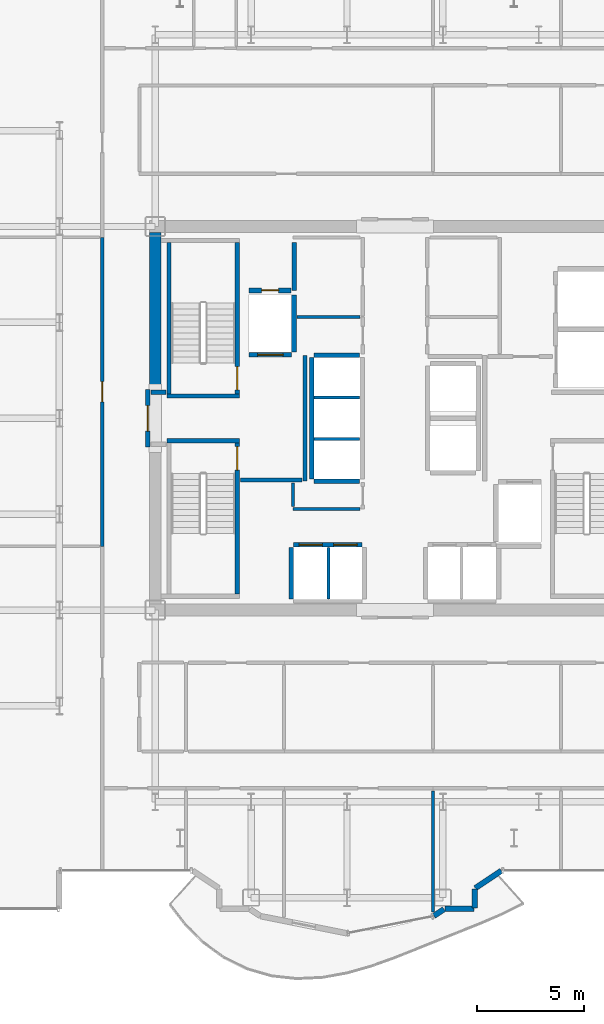
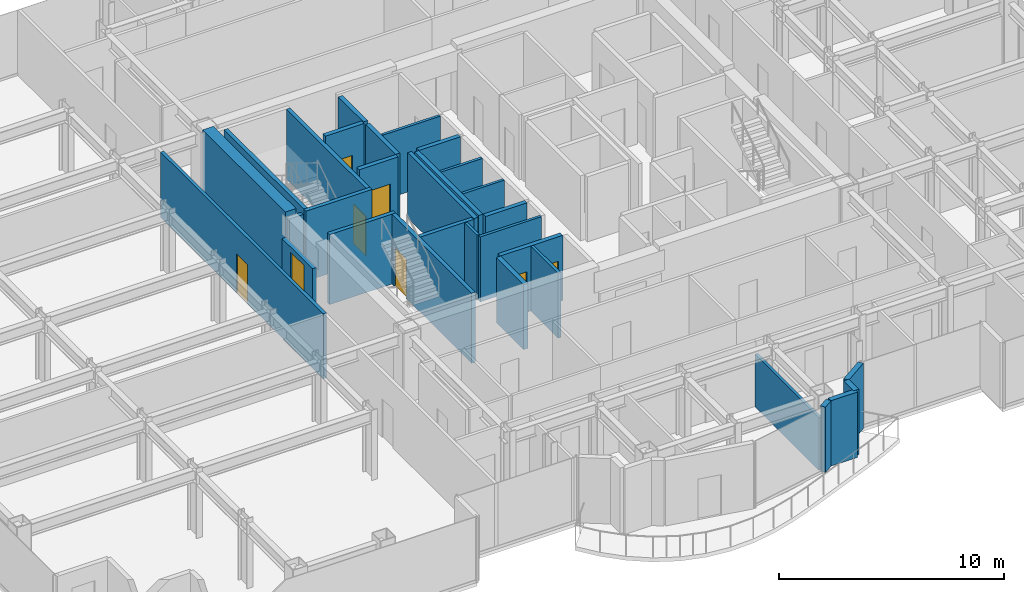
# One storey, part 19 of 26: 31 walls, 8 doors, 8 openings.
"""IFC4 building model written with IfcOpenShell, lengths in metres."""

from ifc_helpers import new_model, si_unit, direction, frame, frame_2d, origin, place, context, subcontext, project, spatial, rectangle, extrude, source, transform, mapped, material, layer, layer_set, type_object, element, fill, save


model = new_model("IFC4")

# Units and contexts
model_context = context("Model", 3, precision=1e-05, world=origin(), true_north=direction((0.0, 1.0)))
body_context = subcontext(model_context, "Body", "Model", "MODEL_VIEW")
ifc_project = project(units=[si_unit("LENGTHUNIT", "METRE"), si_unit("AREAUNIT", "SQUARE_METRE"), si_unit("VOLUMEUNIT", "CUBIC_METRE"), si_unit("PLANEANGLEUNIT", "RADIAN"), si_unit("MASSUNIT", "GRAM", prefix="KILO")], contexts=[model_context])

# Site, building, storey
site_placement = place(None, origin())
site = spatial("IfcSite", under=ifc_project, at=site_placement, CompositionType="ELEMENT")
building_placement = place(site_placement, origin())
building = spatial("IfcBuilding", under=site, at=building_placement, Name="Nefas-Gora Pilgrimage Tower", CompositionType="ELEMENT")
storey_placement = place(building_placement, frame((0.0, 0.0, 171.60009765625)))
storey = spatial("IfcBuildingStorey", under=building, at=storey_placement, Name="L42", CompositionType="ELEMENT", Elevation=171.60009765625)

# Walls
ifc_material_1 = material(Name="Concrete C60/75", Category="concrete")
ifc_layer_1 = layer(ifc_material_1, 0.550048828125)
ifc_layer_set_1 = layer_set([ifc_layer_1], Name="Concrete C60/75")
wall_type_1 = type_object("IfcWallType", Name="SW-CORE-550", PredefinedType="SHEAR", material=ifc_layer_set_1)
shared_shape_1 = source(origin(), body_context, "Body", "SweptSolid", [
    extrude(rectangle(XDim=7.375, YDim=0.550048828125, at=frame_2d((3.6875, 0.0))), origin(), (0.0, 0.0, 1.0), 3.7998046875),
])
wall_1_placement = place(storey_placement, frame((-11.25, 1.35009765625, 0.0), z_axis=(0.0, 0.0, 1.0), x_axis=(0.0, 1.0, 0.0)))
element("IfcWall", 1, at=wall_1_placement, inside=storey, type_object=wall_type_1, Name="L42 Core Shear Wall W-North", PredefinedType="SHEAR", context=body_context, shape_type="MappedRepresentation", body=[
    mapped(shared_shape_1, transform((0.0, 0.0, 0.0), x_axis=(1.0, 0.0, 0.0), y_axis=(0.0, 1.0, 0.0), z_axis=(0.0, 0.0, 1.0), scale=1.0)),
])
ifc_material_2 = material(Name="Precast concrete C40/50", Category="concrete")
ifc_layer_2 = layer(ifc_material_2, 0.260009765625)
ifc_layer_set_2 = layer_set([ifc_layer_2], Name="Precast concrete C40/50")
wall_type_2 = type_object("IfcWallType", Name="EW-PORTAL-260", PredefinedType="SOLIDWALL", material=ifc_layer_set_2)
shared_shape_2 = source(origin(), body_context, "Body", "SweptSolid", [
    extrude(rectangle(XDim=1.468994140625, YDim=0.260009765625, at=frame_2d((0.734375, 0.0))), origin(), (0.0, 0.0, 1.0), 3.5498046875),
])
wall_2_placement = place(storey_placement, frame((3.773193359375, -22.0517578125, 0.0), z_axis=(0.0, 0.0, 1.0), x_axis=(0.831461760506, 0.555581983884, 0.0)))
element("IfcWall", 2, at=wall_2_placement, inside=storey, type_object=wall_type_2, Name="L42 Lobe Shoulder Precast Spandrel Pier 42", PredefinedType="SOLIDWALL", context=body_context, shape_type="MappedRepresentation", body=[
    mapped(shared_shape_2, transform((0.0, 0.0, 0.0), x_axis=(1.0, 0.0, 0.0), y_axis=(0.0, 1.0, 0.0), z_axis=(0.0, 0.0, 1.0), scale=1.0)),
])
shared_shape_3 = source(origin(), body_context, "Body", "SweptSolid", [
    extrude(rectangle(XDim=0.896728515625, YDim=0.260009765625, at=frame_2d((0.4482421875, 0.0))), origin(), (0.0, 0.0, 1.0), 3.5498046875),
])
wall_3_placement = place(storey_placement, frame((3.75, -22.991943359375, 0.0), z_axis=(0.0, 0.0, 1.0), x_axis=(0.0, 1.0, 0.0)))
element("IfcWall", 3, at=wall_3_placement, inside=storey, type_object=wall_type_2, Name="L42 Lobe Shoulder Precast Spandrel Pier 41", PredefinedType="SOLIDWALL", context=body_context, shape_type="MappedRepresentation", body=[
    mapped(shared_shape_3, transform((0.0, 0.0, 0.0), x_axis=(1.0, 0.0, 0.0), y_axis=(0.0, 1.0, 0.0), z_axis=(0.0, 0.0, 1.0), scale=1.0)),
])
shared_shape_4 = source(origin(), body_context, "Body", "SweptSolid", [
    extrude(rectangle(XDim=1.369873046875, YDim=0.260009765625, at=frame_2d((0.68505859375, 0.0))), origin(), (0.0, 0.0, 1.0), 3.5498046875),
])
wall_4_placement = place(storey_placement, frame((2.35205078125, -23.02001953125, 0.0), z_axis=(0.0, 0.0, 1.0), x_axis=(1.0, 0.0, 0.0)))
element("IfcWall", 4, at=wall_4_placement, inside=storey, type_object=wall_type_2, Name="L42 Lobe Shoulder Precast Spandrel Pier 40", PredefinedType="SOLIDWALL", context=body_context, shape_type="MappedRepresentation", body=[
    mapped(shared_shape_4, transform((0.0, 0.0, 0.0), x_axis=(1.0, 0.0, 0.0), y_axis=(0.0, 1.0, 0.0), z_axis=(0.0, 0.0, 1.0), scale=1.0)),
])
shared_shape_5 = source(origin(), body_context, "Body", "SweptSolid", [
    extrude(rectangle(XDim=0.5654296875, YDim=0.260009765625, at=frame_2d((0.28271484375, 0.0))), origin(), (0.0, 0.0, 1.0), 3.5498046875),
])
wall_5_placement = place(storey_placement, frame((1.83056640625, -23.349609375, 0.0), z_axis=(0.0, 0.0, 1.0), x_axis=(0.831651492666, 0.555297933317, 0.0)))
element("IfcWall", 5, at=wall_5_placement, inside=storey, type_object=wall_type_2, Name="L42 Lobe Shoulder Precast Spandrel Pier 39", PredefinedType="SOLIDWALL", context=body_context, shape_type="MappedRepresentation", body=[
    mapped(shared_shape_5, transform((0.0, 0.0, 0.0), x_axis=(1.0, 0.0, 0.0), y_axis=(0.0, 1.0, 0.0), z_axis=(0.0, 0.0, 1.0), scale=1.0)),
])
ifc_material_3 = material(Name="Concrete C45/55", Category="concrete")
ifc_layer_3 = layer(ifc_material_3, 0.199951171875)
ifc_layer_set_3 = layer_set([ifc_layer_3], Name="Concrete C45/55")
wall_type_3 = type_object("IfcWallType", Name="IW-STAIR-200", PredefinedType="SOLIDWALL", material=ifc_layer_set_3)
shared_shape_6 = source(origin(), body_context, "Body", "SweptSolid", [
    extrude(rectangle(XDim=3.39990234375, YDim=0.199951171875, at=frame_2d((1.699951171875, 0.0))), origin(), (0.0, 0.0, 1.0), 3.7998046875),
])
for number, where, z_axis, x_axis, name in (
    (6, (-7.300048828125, 1.050048828125, 0.0), (0.0, 0.0, 1.0), (-1.0, 0.0, 0.0), "L42 Stairwell Shear Wall ST-01-near"),
    (7, (-10.699951171875, -1.050048828125, 0.0), (0.0, 0.0, 1.0), (1.0, 0.0, 0.0), "L42 Stairwell Shear Wall ST-03-near"),
):
    element("IfcWall", number, at=place(storey_placement, frame(where, z_axis=z_axis, x_axis=x_axis)), inside=storey, type_object=wall_type_3, Name=name, PredefinedType="SOLIDWALL", context=body_context, shape_type="MappedRepresentation", body=[
        mapped(shared_shape_6, transform((0.0, 0.0, 0.0), x_axis=(1.0, 0.0, 0.0), y_axis=(0.0, 1.0, 0.0), z_axis=(0.0, 0.0, 1.0), scale=1.0)),
    ])

# Wall, opening, door
shared_shape_7 = source(origin(), body_context, "Body", "SweptSolid", [
    extrude(rectangle(XDim=7.10009765625, YDim=0.199951171875, at=frame_2d((3.550048828125, 0.0))), origin(), (0.0, 0.0, 1.0), 3.7998046875),
])
wall_6_placement = place(storey_placement, frame((-7.39990234375, 1.14990234375, 0.0), z_axis=(0.0, 0.0, 1.0), x_axis=(0.0, 1.0, 0.0)))
wall_6 = element("IfcWall", 8, at=wall_6_placement, inside=storey, type_object=wall_type_3, Name="L42 Stairwell Shear Wall ST-01-left", PredefinedType="SOLIDWALL", context=body_context, shape_type="MappedRepresentation", body=[
    mapped(shared_shape_7, transform((0.0, 0.0, 0.0), x_axis=(1.0, 0.0, 0.0), y_axis=(0.0, 1.0, 0.0), z_axis=(0.0, 0.0, 1.0), scale=1.0)),
])
opening_1_placement = place(wall_6_placement, frame((0.179931640625, 0.0, 0.0)))
opening_1 = element("IfcOpeningElement", 9, at=opening_1_placement, cuts=wall_6, Name="Opening ID-ST1", PredefinedType="OPENING", context=body_context, shape_type="SweptSolid", body=[
    extrude(rectangle(XDim=1.10009765625, YDim=2.14990234375, at=frame_2d((0.550048828125, 1.074951171875))), frame((0.0, 0.10986328125, 0.0), z_axis=(0.0, -1.0, 0.0), x_axis=(1.0, 0.0, 0.0)), (0.0, 0.0, 1.0), 0.219970703125),
])
ifc_material_4 = material(Name="Painted galvanised steel fire stair door", Category="steel")
door_type_1 = type_object("IfcDoorType", Name="DR-INT-STAIR-1100", OperationType="NOTDEFINED", PredefinedType="DOOR", material=ifc_material_4)
shared_shape_8 = source(origin(), body_context, "Body", "SweptSolid", [
    extrude(rectangle(XDim=1.10009765625, YDim=2.14990234375, at=frame_2d((0.550048828125, 1.074951171875))), frame((0.0, 0.02490234375, 0.0), z_axis=(0.0, -1.0, 0.0), x_axis=(1.0, 0.0, 0.0)), (0.0, 0.0, 1.0), 0.050048828125),
])
door_1_placement = place(opening_1_placement, origin())
door_1 = element("IfcDoor", 10, at=door_1_placement, inside=storey, type_object=door_type_1, Name="L42 Protected Exit Stair Door ST-01", OperationType="SINGLE_SWING_RIGHT", OverallHeight=2.14990234375, OverallWidth=1.10009765625, PredefinedType="DOOR", context=body_context, shape_type="MappedRepresentation", body=[
    mapped(shared_shape_8, transform((0.0, 0.0, 0.0), x_axis=(1.0, 0.0, 0.0), y_axis=(0.0, 1.0, 0.0), z_axis=(0.0, 0.0, 1.0), scale=1.0)),
])
fill(opening_1, door_1)

# Wall
wall_7_placement = place(storey_placement, frame((-10.60009765625, 1.14990234375, 0.0), z_axis=(0.0, 0.0, 1.0), x_axis=(0.0, 1.0, 0.0)))
element("IfcWall", 11, at=wall_7_placement, inside=storey, type_object=wall_type_3, Name="L42 Stairwell Shear Wall ST-01-right", PredefinedType="SOLIDWALL", context=body_context, shape_type="MappedRepresentation", body=[
    mapped(shared_shape_7, transform((0.0, 0.0, 0.0), x_axis=(1.0, 0.0, 0.0), y_axis=(0.0, 1.0, 0.0), z_axis=(0.0, 0.0, 1.0), scale=1.0)),
])

# Wall, opening, door
wall_8_placement = place(storey_placement, frame((-7.39990234375, -1.14990234375, 0.0), z_axis=(0.0, 0.0, 1.0), x_axis=(0.0, -1.0, 0.0)))
wall_8 = element("IfcWall", 12, at=wall_8_placement, inside=storey, type_object=wall_type_3, Name="L42 Stairwell Shear Wall ST-03-right", PredefinedType="SOLIDWALL", context=body_context, shape_type="MappedRepresentation", body=[
    mapped(shared_shape_7, transform((0.0, 0.0, 0.0), x_axis=(1.0, 0.0, 0.0), y_axis=(0.0, 1.0, 0.0), z_axis=(0.0, 0.0, 1.0), scale=1.0)),
])
opening_2_placement = place(wall_8_placement, frame((0.179931640625, 0.0, 0.0)))
opening_2 = element("IfcOpeningElement", 13, at=opening_2_placement, cuts=wall_8, Name="Opening ID-ST1", PredefinedType="OPENING", context=body_context, shape_type="SweptSolid", body=[
    extrude(rectangle(XDim=1.10009765625, YDim=2.14990234375, at=frame_2d((0.550048828125, 1.074951171875))), frame((0.0, 0.10986328125, 0.0), z_axis=(0.0, -1.0, 0.0), x_axis=(1.0, 0.0, 0.0)), (0.0, 0.0, 1.0), 0.219970703125),
])
door_2_placement = place(opening_2_placement, origin())
door_2 = element("IfcDoor", 14, at=door_2_placement, inside=storey, type_object=door_type_1, Name="L42 Protected Exit Stair Door ST-03", OperationType="SINGLE_SWING_RIGHT", OverallHeight=2.14990234375, OverallWidth=1.10009765625, PredefinedType="DOOR", context=body_context, shape_type="MappedRepresentation", body=[
    mapped(shared_shape_8, transform((0.0, 0.0, 0.0), x_axis=(1.0, 0.0, 0.0), y_axis=(0.0, 1.0, 0.0), z_axis=(0.0, 0.0, 1.0), scale=1.0)),
])
fill(opening_2, door_2)

ifc_material_5 = material(Name="Concrete C40/50", Category="concrete")
ifc_layer_4 = layer(ifc_material_5, 0.219970703125)
ifc_layer_set_4 = layer_set([ifc_layer_4], Name="Concrete C40/50")
wall_type_4 = type_object("IfcWallType", Name="IW-SHAFT-220", PredefinedType="SOLIDWALL", material=ifc_layer_set_4)
shared_shape_9 = source(origin(), body_context, "Body", "SweptSolid", [
    extrude(rectangle(XDim=2.0, YDim=0.219970703125, at=frame_2d((1.0, 0.0))), origin(), (0.0, 0.0, 1.0), 3.534912109375),
])
wall_9_placement = place(storey_placement, frame((-6.85009765625, 2.989990234375, 0.0), z_axis=(0.0, 0.0, 1.0), x_axis=(1.0, 0.0, 0.0)))
wall_9 = element("IfcWall", 15, at=wall_9_placement, inside=storey, type_object=wall_type_4, Name="L42 Hoistway Wall FFL-01-S", PredefinedType="SOLIDWALL", context=body_context, shape_type="MappedRepresentation", body=[
    mapped(shared_shape_9, transform((0.0, 0.0, 0.0), x_axis=(1.0, 0.0, 0.0), y_axis=(0.0, 1.0, 0.0), z_axis=(0.0, 0.0, 1.0), scale=1.0)),
])
opening_3_placement = place(wall_9_placement, frame((0.39990234375, 0.0, 0.0)))
opening_3 = element("IfcOpeningElement", 16, at=opening_3_placement, cuts=wall_9, Name="Opening LD-FF", PredefinedType="OPENING", context=body_context, shape_type="SweptSolid", body=[
    extrude(rectangle(XDim=1.199951171875, YDim=2.199951171875, at=frame_2d((0.60009765625, 1.10009765625))), frame((0.0, 0.119873046875, 0.0), z_axis=(0.0, -1.0, 0.0), x_axis=(1.0, 0.0, 0.0)), (0.0, 0.0, 1.0), 0.239990234375),
])
ifc_material_6 = material(Name="Fire-service sliding lift landing door")
door_type_2 = type_object("IfcDoorType", Name="DR-LIFT-FSAE-1200", OperationType="SLIDING_TO_LEFT", PredefinedType="DOOR", material=ifc_material_6)
shared_shape_10 = source(origin(), body_context, "Body", "SweptSolid", [
    extrude(rectangle(XDim=1.199951171875, YDim=2.199951171875, at=frame_2d((0.60009765625, 1.10009765625))), frame((0.0, 0.02490234375, 0.0), z_axis=(0.0, -1.0, 0.0), x_axis=(1.0, 0.0, 0.0)), (0.0, 0.0, 1.0), 0.050048828125),
])
door_3_placement = place(opening_3_placement, origin())
door_3 = element("IfcDoor", 17, at=door_3_placement, inside=storey, type_object=door_type_2, Name="L42 Sliding Lift Landing Door FFL-01", OperationType="SLIDING_TO_LEFT", OverallHeight=2.199951171875, OverallWidth=1.199951171875, PredefinedType="DOOR", context=body_context, shape_type="MappedRepresentation", body=[
    mapped(shared_shape_10, transform((0.0, 0.0, 0.0), x_axis=(1.0, 0.0, 0.0), y_axis=(0.0, 1.0, 0.0), z_axis=(0.0, 0.0, 1.0), scale=1.0)),
])
fill(opening_3, door_3)

# Wall
shared_shape_11 = source(origin(), body_context, "Body", "SweptSolid", [
    extrude(rectangle(XDim=2.679931640625, YDim=0.219970703125, at=frame_2d((1.33984375, 0.0))), origin(), (0.0, 0.0, 1.0), 3.534912109375),
])
wall_10_placement = place(storey_placement, frame((-4.739990234375, 3.110107421875, 0.0), z_axis=(0.0, 0.0, 1.0), x_axis=(0.0, 1.0, 0.0)))
element("IfcWall", 18, at=wall_10_placement, inside=storey, type_object=wall_type_4, Name="L42 Hoistway Wall FFL-01-E", PredefinedType="SOLIDWALL", context=body_context, shape_type="MappedRepresentation", body=[
    mapped(shared_shape_11, transform((0.0, 0.0, 0.0), x_axis=(1.0, 0.0, 0.0), y_axis=(0.0, 1.0, 0.0), z_axis=(0.0, 0.0, 1.0), scale=1.0)),
])

# Wall, openings, doors
shared_shape_12 = source(origin(), body_context, "Body", "SweptSolid", [
    extrude(rectangle(XDim=3.199951171875, YDim=0.219970703125, at=frame_2d((1.60009765625, 0.0))), origin(), (0.0, 0.0, 1.0), 3.534912109375),
])
wall_11_placement = place(storey_placement, frame((-1.550048828125, -5.93994140625, 0.0), z_axis=(0.0, 0.0, 1.0), x_axis=(-1.0, 0.0, 0.0)))
wall_11 = element("IfcWall", 19, at=wall_11_placement, inside=storey, type_object=wall_type_4, Name="L42 Hoistway Wall PL2-W-N", PredefinedType="SOLIDWALL", context=body_context, shape_type="MappedRepresentation", body=[
    mapped(shared_shape_12, transform((0.0, 0.0, 0.0), x_axis=(1.0, 0.0, 0.0), y_axis=(0.0, 1.0, 0.0), z_axis=(0.0, 0.0, 1.0), scale=1.0)),
])
opening_4_placement = place(wall_11_placement, frame((1.85009765625, 0.0, 0.0)))
opening_4 = element("IfcOpeningElement", 20, at=opening_4_placement, cuts=wall_11, Name="Opening LD-01", PredefinedType="OPENING", context=body_context, shape_type="SweptSolid", body=[
    extrude(rectangle(XDim=1.10009765625, YDim=2.199951171875, at=frame_2d((0.550048828125, 1.10009765625))), frame((0.0, 0.119873046875, 0.0), z_axis=(0.0, -1.0, 0.0), x_axis=(1.0, 0.0, 0.0)), (0.0, 0.0, 1.0), 0.239990234375),
])
opening_5_placement = place(wall_11_placement, frame((0.22509765625, 0.0, 0.0)))
opening_5 = element("IfcOpeningElement", 21, at=opening_5_placement, cuts=wall_11, Name="Opening LD-01", PredefinedType="OPENING", context=body_context, shape_type="SweptSolid", body=[
    extrude(rectangle(XDim=1.10009765625, YDim=2.199951171875, at=frame_2d((0.550048828125, 1.10009765625))), frame((0.0, 0.119873046875, 0.0), z_axis=(0.0, -1.0, 0.0), x_axis=(1.0, 0.0, 0.0)), (0.0, 0.0, 1.0), 0.239990234375),
])
ifc_material_7 = material(Name="Brushed stainless sliding lift landing door")
door_type_3 = type_object("IfcDoorType", Name="DR-LIFT-PASS-1100", OperationType="DOUBLE_DOOR_SLIDING", PredefinedType="DOOR", material=ifc_material_7)
shared_shape_13 = source(origin(), body_context, "Body", "SweptSolid", [
    extrude(rectangle(XDim=1.10009765625, YDim=2.199951171875, at=frame_2d((0.550048828125, 1.10009765625))), frame((0.0, 0.02490234375, 0.0), z_axis=(0.0, -1.0, 0.0), x_axis=(1.0, 0.0, 0.0)), (0.0, 0.0, 1.0), 0.050048828125),
])
door_4_placement = place(opening_4_placement, origin())
door_4 = element("IfcDoor", 22, at=door_4_placement, inside=storey, type_object=door_type_3, Name="L42 Sliding Lift Landing Door PL2-01", OperationType="DOUBLE_DOOR_SLIDING", OverallHeight=2.199951171875, OverallWidth=1.10009765625, PredefinedType="DOOR", context=body_context, shape_type="MappedRepresentation", body=[
    mapped(shared_shape_13, transform((0.0, 0.0, 0.0), x_axis=(1.0, 0.0, 0.0), y_axis=(0.0, 1.0, 0.0), z_axis=(0.0, 0.0, 1.0), scale=1.0)),
])
fill(opening_4, door_4)
door_5_placement = place(opening_5_placement, origin())
door_5 = element("IfcDoor", 23, at=door_5_placement, inside=storey, type_object=door_type_3, Name="L42 Sliding Lift Landing Door PL2-02", OperationType="DOUBLE_DOOR_SLIDING", OverallHeight=2.199951171875, OverallWidth=1.10009765625, PredefinedType="DOOR", context=body_context, shape_type="MappedRepresentation", body=[
    mapped(shared_shape_13, transform((0.0, 0.0, 0.0), x_axis=(1.0, 0.0, 0.0), y_axis=(0.0, 1.0, 0.0), z_axis=(0.0, 0.0, 1.0), scale=1.0)),
])
fill(opening_5, door_5)

# Walls
shared_shape_14 = source(origin(), body_context, "Body", "SweptSolid", [
    extrude(rectangle(XDim=2.429931640625, YDim=0.219970703125, at=frame_2d((1.21484375, 0.0))), origin(), (0.0, 0.0, 1.0), 3.534912109375),
])
wall_12_placement = place(storey_placement, frame((-4.860107421875, -6.06005859375, 0.0), z_axis=(0.0, 0.0, 1.0), x_axis=(0.0, -1.0, 0.0)))
element("IfcWall", 24, at=wall_12_placement, inside=storey, type_object=wall_type_4, Name="L42 Hoistway Wall PL2-W-W", PredefinedType="SOLIDWALL", context=body_context, shape_type="MappedRepresentation", body=[
    mapped(shared_shape_14, transform((0.0, 0.0, 0.0), x_axis=(1.0, 0.0, 0.0), y_axis=(0.0, 1.0, 0.0), z_axis=(0.0, 0.0, 1.0), scale=1.0)),
])
ifc_material_8 = material(Name="Gypsum twin-stud partition")
ifc_layer_5 = layer(ifc_material_8, 0.139892578125)
ifc_layer_set_5 = layer_set([ifc_layer_5], Name="Gypsum twin-stud partition")
wall_type_5 = type_object("IfcWallType", Name="IW-UNIT-140", PredefinedType="PARTITIONING", material=ifc_layer_set_5)
shared_shape_15 = source(origin(), body_context, "Body", "SweptSolid", [
    extrude(rectangle(XDim=2.429931640625, YDim=0.139892578125, at=frame_2d((1.21484375, 0.0))), origin(), (0.0, 0.0, 1.0), 3.534912109375),
])
wall_13_placement = place(storey_placement, frame((-3.125, -8.489990234375, 0.0), z_axis=(0.0, 0.0, 1.0), x_axis=(0.0, 1.0, 0.0)))
element("IfcWall", 25, at=wall_13_placement, inside=storey, type_object=wall_type_5, Name="L42 Hoistway Wall PL2-W-DIV", PredefinedType="PARTITIONING", context=body_context, shape_type="MappedRepresentation", body=[
    mapped(shared_shape_15, transform((0.0, 0.0, 0.0), x_axis=(1.0, 0.0, 0.0), y_axis=(0.0, 1.0, 0.0), z_axis=(0.0, 0.0, 1.0), scale=1.0)),
])
shared_shape_16 = source(origin(), body_context, "Body", "SweptSolid", [
    extrude(rectangle(XDim=5.7001953125, YDim=0.219970703125, at=frame_2d((2.85009765625, 0.0))), origin(), (0.0, 0.0, 1.0), 3.534912109375),
])
wall_14_placement = place(storey_placement, frame((-3.909912109375, 2.85009765625, 0.0), z_axis=(0.0, 0.0, 1.0), x_axis=(0.0, -1.0, 0.0)))
element("IfcWall", 26, at=wall_14_placement, inside=storey, type_object=wall_type_4, Name="L42 Hoistway Wall PL3-01-03-W", PredefinedType="SOLIDWALL", context=body_context, shape_type="MappedRepresentation", body=[
    mapped(shared_shape_16, transform((0.0, 0.0, 0.0), x_axis=(1.0, 0.0, 0.0), y_axis=(0.0, 1.0, 0.0), z_axis=(0.0, 0.0, 1.0), scale=1.0)),
])
shared_shape_17 = source(origin(), body_context, "Body", "SweptSolid", [
    extrude(rectangle(XDim=2.130126953125, YDim=0.219970703125, at=frame_2d((1.06494140625, 0.0))), origin(), (0.0, 0.0, 1.0), 3.534912109375),
])
for number, where, z_axis, x_axis, name in (
    (27, (-3.7900390625, -2.9599609375, 0.0), (0.0, 0.0, 1.0), (1.0, 0.0, 0.0), "L42 Hoistway Wall PL3-01-S"),
    (28, (-1.659912109375, 2.9599609375, 0.0), (0.0, 0.0, 1.0), (-1.0, 0.0, 0.0), "L42 Hoistway Wall PL3-03-N"),
):
    element("IfcWall", number, at=place(storey_placement, frame(where, z_axis=z_axis, x_axis=x_axis)), inside=storey, type_object=wall_type_4, Name=name, PredefinedType="SOLIDWALL", context=body_context, shape_type="MappedRepresentation", body=[
        mapped(shared_shape_17, transform((0.0, 0.0, 0.0), x_axis=(1.0, 0.0, 0.0), y_axis=(0.0, 1.0, 0.0), z_axis=(0.0, 0.0, 1.0), scale=1.0)),
    ])
shared_shape_18 = source(origin(), body_context, "Body", "SweptSolid", [
    extrude(rectangle(XDim=2.130126953125, YDim=0.139892578125, at=frame_2d((1.06494140625, 0.0))), origin(), (0.0, 0.0, 1.0), 3.534912109375),
])
for number, where, z_axis, x_axis, name in (
    (29, (-3.7900390625, -0.97509765625, 0.0), (0.0, 0.0, 1.0), (1.0, 0.0, 0.0), "L42 Hoistway Wall PL3-01-02-DIV"),
    (30, (-3.7900390625, 0.97509765625, 0.0), (0.0, 0.0, 1.0), (1.0, 0.0, 0.0), "L42 Hoistway Wall PL3-02-03-DIV"),
):
    element("IfcWall", number, at=place(storey_placement, frame(where, z_axis=z_axis, x_axis=x_axis)), inside=storey, type_object=wall_type_5, Name=name, PredefinedType="PARTITIONING", context=body_context, shape_type="MappedRepresentation", body=[
        mapped(shared_shape_18, transform((0.0, 0.0, 0.0), x_axis=(1.0, 0.0, 0.0), y_axis=(0.0, 1.0, 0.0), z_axis=(0.0, 0.0, 1.0), scale=1.0)),
    ])
ifc_material_9 = material(Name="Gypsum fire-rated shaftwall")
ifc_layer_6 = layer(ifc_material_9, 0.199951171875)
ifc_layer_set_6 = layer_set([ifc_layer_6], Name="Gypsum fire-rated shaftwall")
wall_type_6 = type_object("IfcWallType", Name="IW-FFLOB-200", PredefinedType="PARTITIONING", material=ifc_layer_set_6)
shared_shape_19 = source(origin(), body_context, "Body", "SweptSolid", [
    extrude(rectangle(XDim=5.89990234375, YDim=0.199951171875, at=frame_2d((2.949951171875, 0.0))), origin(), (0.0, 0.0, 1.0), 3.534912109375),
])
wall_15_placement = place(storey_placement, frame((-4.219970703125, -2.949951171875, 0.0), z_axis=(0.0, 0.0, 1.0), x_axis=(0.0, 1.0, 0.0)))
element("IfcWall", 31, at=wall_15_placement, inside=storey, type_object=wall_type_6, Name="L42 FF Lobby West Inner Wall Wall 5", PredefinedType="PARTITIONING", context=body_context, shape_type="MappedRepresentation", body=[
    mapped(shared_shape_19, transform((0.0, 0.0, 0.0), x_axis=(1.0, 0.0, 0.0), y_axis=(0.0, 1.0, 0.0), z_axis=(0.0, 0.0, 1.0), scale=1.0)),
])
shared_shape_20 = source(origin(), body_context, "Body", "SweptSolid", [
    extrude(rectangle(XDim=2.89990234375, YDim=0.199951171875, at=frame_2d((1.449951171875, 0.0))), origin(), (0.0, 0.0, 1.0), 3.534912109375),
])
wall_16_placement = place(storey_placement, frame((-7.260009765625, -2.89990234375, 0.0), z_axis=(0.0, 0.0, 1.0), x_axis=(1.0, 0.0, 0.0)))
element("IfcWall", 32, at=wall_16_placement, inside=storey, type_object=wall_type_6, Name="L42 FF Lobby West South Wall Wall 6", PredefinedType="PARTITIONING", context=body_context, shape_type="MappedRepresentation", body=[
    mapped(shared_shape_20, transform((0.0, 0.0, 0.0), x_axis=(1.0, 0.0, 0.0), y_axis=(0.0, 1.0, 0.0), z_axis=(0.0, 0.0, 1.0), scale=1.0)),
])
shared_shape_21 = source(origin(), body_context, "Body", "SweptSolid", [
    extrude(rectangle(XDim=0.719970703125, YDim=0.199951171875, at=frame_2d((0.35986328125, 0.0))), origin(), (0.0, 0.0, 1.0), 3.534912109375),
])
wall_17_placement = place(storey_placement, frame((-11.4599609375, 1.219970703125, 0.0), z_axis=(0.0, 0.0, 1.0), x_axis=(1.0, 0.0, 0.0)))
element("IfcWall", 33, at=wall_17_placement, inside=storey, type_object=wall_type_6, Name="L42 FF Lobby West Throat N Wall 7", PredefinedType="PARTITIONING", context=body_context, shape_type="MappedRepresentation", body=[
    mapped(shared_shape_21, transform((0.0, 0.0, 0.0), x_axis=(1.0, 0.0, 0.0), y_axis=(0.0, 1.0, 0.0), z_axis=(0.0, 0.0, 1.0), scale=1.0)),
])
shared_shape_22 = source(origin(), body_context, "Body", "SweptSolid", [
    extrude(rectangle(XDim=2.9501953125, YDim=0.139892578125, at=frame_2d((1.47509765625, 0.0))), origin(), (0.0, 0.0, 1.0), 3.534912109375),
])
wall_18_placement = place(storey_placement, frame((-4.590087890625, 4.75, 0.0), z_axis=(0.0, 0.0, 1.0), x_axis=(1.0, 0.0, 0.0)))
element("IfcWall", 34, at=wall_18_placement, inside=storey, type_object=wall_type_5, Name="L42 Housekeeping and Linen Store Partition Wall 19", PredefinedType="PARTITIONING", context=body_context, shape_type="MappedRepresentation", body=[
    mapped(shared_shape_22, transform((0.0, 0.0, 0.0), x_axis=(1.0, 0.0, 0.0), y_axis=(0.0, 1.0, 0.0), z_axis=(0.0, 0.0, 1.0), scale=1.0)),
])

# Wall, opening, door
shared_shape_23 = source(origin(), body_context, "Body", "SweptSolid", [
    extrude(rectangle(XDim=2.7001953125, YDim=0.199951171875, at=frame_2d((1.35009765625, 0.0))), origin(), (0.0, 0.0, 1.0), 2.4248046875),
])
wall_19_placement = place(storey_placement, frame((-11.60009765625, -1.35009765625, 0.0), z_axis=(0.0, 0.0, 1.0), x_axis=(0.0, 1.0, 0.0)))
wall_19 = element("IfcWall", 35, at=wall_19_placement, inside=storey, type_object=wall_type_6, Name="L42 FF Lobby West Portal Wall 4", PredefinedType="PARTITIONING", context=body_context, shape_type="MappedRepresentation", body=[
    mapped(shared_shape_23, transform((0.0, 0.0, 0.0), x_axis=(1.0, 0.0, 0.0), y_axis=(0.0, 1.0, 0.0), z_axis=(0.0, 0.0, 1.0), scale=1.0)),
])
opening_6_placement = place(wall_19_placement, frame((0.75, 0.0, 0.0)))
opening_6 = element("IfcOpeningElement", 36, at=opening_6_placement, cuts=wall_19, Name="Opening ID-FF1", PredefinedType="OPENING", context=body_context, shape_type="SweptSolid", body=[
    extrude(rectangle(XDim=1.199951171875, YDim=2.14990234375, at=frame_2d((0.60009765625, 1.074951171875))), frame((0.0, 0.10986328125, 0.0), z_axis=(0.0, -1.0, 0.0), x_axis=(1.0, 0.0, 0.0)), (0.0, 0.0, 1.0), 0.219970703125),
])
ifc_material_10 = material(Name="Smoke-sealed steel firefighting lobby door", Category="steel")
door_type_4 = type_object("IfcDoorType", Name="DR-INT-FFLOB-1200", OperationType="NOTDEFINED", PredefinedType="DOOR", material=ifc_material_10)
shared_shape_24 = source(origin(), body_context, "Body", "SweptSolid", [
    extrude(rectangle(XDim=1.199951171875, YDim=2.14990234375, at=frame_2d((0.60009765625, 1.074951171875))), frame((0.0, 0.02490234375, 0.0), z_axis=(0.0, -1.0, 0.0), x_axis=(1.0, 0.0, 0.0)), (0.0, 0.0, 1.0), 0.050048828125),
])
door_6_placement = place(opening_6_placement, origin())
door_6 = element("IfcDoor", 37, at=door_6_placement, inside=storey, type_object=door_type_4, Name="L42 FF Lobby West Portal Door 2", OperationType="SINGLE_SWING_LEFT", OverallHeight=2.14990234375, OverallWidth=1.199951171875, PredefinedType="DOOR", context=body_context, shape_type="MappedRepresentation", body=[
    mapped(shared_shape_24, transform((0.0, 0.0, 0.0), x_axis=(1.0, 0.0, 0.0), y_axis=(0.0, 1.0, 0.0), z_axis=(0.0, 0.0, 1.0), scale=1.0)),
])
fill(opening_6, door_6)

# Walls
shared_shape_25 = source(origin(), body_context, "Body", "SweptSolid", [
    extrude(rectangle(XDim=3.150146484375, YDim=0.139892578125, at=frame_2d((1.5751953125, 0.0))), origin(), (0.0, 0.0, 1.0), 3.534912109375),
])
wall_20_placement = place(storey_placement, frame((-4.7900390625, -4.25, 0.0), z_axis=(0.0, 0.0, 1.0), x_axis=(1.0, 0.0, 0.0)))
element("IfcWall", 38, at=wall_20_placement, inside=storey, type_object=wall_type_5, Name="L42 Guest Self-Service Laundry Room Partition Wall 27", PredefinedType="PARTITIONING", context=body_context, shape_type="MappedRepresentation", body=[
    mapped(shared_shape_25, transform((0.0, 0.0, 0.0), x_axis=(1.0, 0.0, 0.0), y_axis=(0.0, 1.0, 0.0), z_axis=(0.0, 0.0, 1.0), scale=1.0)),
])
shared_shape_26 = source(origin(), body_context, "Body", "SweptSolid", [
    extrude(rectangle(XDim=1.099853515625, YDim=0.139892578125, at=frame_2d((0.5498046875, 0.0))), origin(), (0.0, 0.0, 1.0), 3.534912109375),
])
wall_21_placement = place(storey_placement, frame((-4.780029296875, -4.139892578125, 0.0), z_axis=(0.0, 0.0, 1.0), x_axis=(0.0, 1.0, 0.0)))
element("IfcWall", 39, at=wall_21_placement, inside=storey, type_object=wall_type_5, Name="L42 Guest Self-Service Laundry Room Partition Wall 28", PredefinedType="PARTITIONING", context=body_context, shape_type="MappedRepresentation", body=[
    mapped(shared_shape_26, transform((0.0, 0.0, 0.0), x_axis=(1.0, 0.0, 0.0), y_axis=(0.0, 1.0, 0.0), z_axis=(0.0, 0.0, 1.0), scale=1.0)),
])
shared_shape_27 = source(origin(), body_context, "Body", "SweptSolid", [
    extrude(rectangle(XDim=2.25, YDim=0.219970703125, at=frame_2d((1.125, 0.0))), origin(), (0.0, 0.0, 1.0), 3.534912109375),
])
wall_22_placement = place(storey_placement, frame((-4.719970703125, 6.0, 0.0), z_axis=(0.0, 0.0, 1.0), x_axis=(0.0, 1.0, 0.0)))
element("IfcWall", 40, at=wall_22_placement, inside=storey, type_object=wall_type_4, Name="L42 Riser Shaft Wall 1", PredefinedType="SOLIDWALL", context=body_context, shape_type="MappedRepresentation", body=[
    mapped(shared_shape_27, transform((0.0, 0.0, 0.0), x_axis=(1.0, 0.0, 0.0), y_axis=(0.0, 1.0, 0.0), z_axis=(0.0, 0.0, 1.0), scale=1.0)),
])

# Wall, opening, door
shared_shape_28 = source(origin(), body_context, "Body", "SweptSolid", [
    extrude(rectangle(XDim=1.97998046875, YDim=0.219970703125, at=frame_2d((0.989990234375, 0.0))), origin(), (0.0, 0.0, 1.0), 3.534912109375),
])
wall_23_placement = place(storey_placement, frame((-6.85009765625, 6.0, 0.0), z_axis=(0.0, 0.0, 1.0), x_axis=(1.0, 0.0, 0.0)))
wall_23 = element("IfcWall", 41, at=wall_23_placement, inside=storey, type_object=wall_type_4, Name="L42 Riser Shaft Wall 2", PredefinedType="SOLIDWALL", context=body_context, shape_type="MappedRepresentation", body=[
    mapped(shared_shape_28, transform((0.0, 0.0, 0.0), x_axis=(1.0, 0.0, 0.0), y_axis=(0.0, 1.0, 0.0), z_axis=(0.0, 0.0, 1.0), scale=1.0)),
])
opening_7_placement = place(wall_23_placement, frame((0.590087890625, 0.0, 0.0)))
opening_7 = element("IfcOpeningElement", 42, at=opening_7_placement, cuts=wall_23, Name="Opening ID-TR1", PredefinedType="OPENING", context=body_context, shape_type="SweptSolid", body=[
    extrude(rectangle(XDim=0.800048828125, YDim=2.0, at=frame_2d((0.39990234375, 1.0))), frame((0.0, 0.119873046875, 0.0), z_axis=(0.0, -1.0, 0.0), x_axis=(1.0, 0.0, 0.0)), (0.0, 0.0, 1.0), 0.239990234375),
])
ifc_material_11 = material(Name="Riser maintenance fire access door")
door_type_5 = type_object("IfcDoorType", Name="DR-INT-TRAP-800", OperationType="NOTDEFINED", PredefinedType="TRAPDOOR", material=ifc_material_11)
shared_shape_29 = source(origin(), body_context, "Body", "SweptSolid", [
    extrude(rectangle(XDim=0.800048828125, YDim=2.0, at=frame_2d((0.39990234375, 1.0))), frame((0.0, 0.02490234375, 0.0), z_axis=(0.0, -1.0, 0.0), x_axis=(1.0, 0.0, 0.0)), (0.0, 0.0, 1.0), 0.050048828125),
])
door_7_placement = place(opening_7_placement, origin())
door_7 = element("IfcDoor", 43, at=door_7_placement, inside=storey, type_object=door_type_5, Name="L42 Riser Shaft Door 1", OperationType="SINGLE_SWING_RIGHT", OverallHeight=2.0, OverallWidth=0.800048828125, PredefinedType="TRAPDOOR", context=body_context, shape_type="MappedRepresentation", body=[
    mapped(shared_shape_29, transform((0.0, 0.0, 0.0), x_axis=(1.0, 0.0, 0.0), y_axis=(0.0, 1.0, 0.0), z_axis=(0.0, 0.0, 1.0), scale=1.0)),
])
fill(opening_7, door_7)

ifc_material_12 = material(Name="Gypsum acoustic stud partition")
ifc_layer_7 = layer(ifc_material_12, 0.159912109375)
ifc_layer_set_7 = layer_set([ifc_layer_7], Name="Gypsum acoustic stud partition")
wall_type_7 = type_object("IfcWallType", Name="IW-CORR-160", PredefinedType="PARTITIONING", material=ifc_layer_set_7)
shared_shape_30 = source(origin(), body_context, "Body", "SweptSolid", [
    extrude(rectangle(XDim=14.492431640625, YDim=0.159912109375, at=frame_2d((7.24609375, 0.0))), origin(), (0.0, 0.0, 1.0), 3.534912109375),
])
wall_24_placement = place(storey_placement, frame((-13.739990234375, -6.0048828125, 0.0), z_axis=(0.0, 0.0, 1.0), x_axis=(0.0, 1.0, 0.0)))
wall_24 = element("IfcWall", 44, at=wall_24_placement, inside=storey, type_object=wall_type_7, Name="L42 Pilgrim Tea and Beverage Pantry Partition Wall 36", PredefinedType="PARTITIONING", context=body_context, shape_type="MappedRepresentation", body=[
    mapped(shared_shape_30, transform((0.0, 0.0, 0.0), x_axis=(1.0, 0.0, 0.0), y_axis=(0.0, 1.0, 0.0), z_axis=(0.0, 0.0, 1.0), scale=1.0)),
])
opening_8_placement = place(wall_24_placement, frame((6.771240234375, 0.0, 0.0)))
opening_8 = element("IfcOpeningElement", 45, at=opening_8_placement, cuts=wall_24, Name="Opening ID-GR1", PredefinedType="OPENING", context=body_context, shape_type="SweptSolid", body=[
    extrude(rectangle(XDim=0.949951171875, YDim=2.10009765625, at=frame_2d((0.47509765625, 1.050048828125))), frame((0.0, 0.08984375, 0.0), z_axis=(0.0, -1.0, 0.0), x_axis=(1.0, 0.0, 0.0)), (0.0, 0.0, 1.0), 0.179931640625),
])
ifc_material_13 = material(Name="Solid core oak fire-rated guest entrance door")
door_type_6 = type_object("IfcDoorType", Name="DR-INT-GUEST-950", OperationType="NOTDEFINED", PredefinedType="DOOR", material=ifc_material_13)
shared_shape_31 = source(origin(), body_context, "Body", "SweptSolid", [
    extrude(rectangle(XDim=0.949951171875, YDim=2.10009765625, at=frame_2d((0.47509765625, 1.050048828125))), frame((0.0, 0.02490234375, 0.0), z_axis=(0.0, -1.0, 0.0), x_axis=(1.0, 0.0, 0.0)), (0.0, 0.0, 1.0), 0.050048828125),
])
door_8_placement = place(opening_8_placement, origin())
door_8 = element("IfcDoor", 46, at=door_8_placement, inside=storey, type_object=door_type_6, Name="L42 Pilgrim Tea and Beverage Pantry Door 15", OperationType="SINGLE_SWING_RIGHT", OverallHeight=2.10009765625, OverallWidth=0.949951171875, PredefinedType="DOOR", context=body_context, shape_type="MappedRepresentation", body=[
    mapped(shared_shape_31, transform((0.0, 0.0, 0.0), x_axis=(1.0, 0.0, 0.0), y_axis=(0.0, 1.0, 0.0), z_axis=(0.0, 0.0, 1.0), scale=1.0)),
])
fill(opening_8, door_8)

# Wall
shared_shape_32 = source(origin(), body_context, "Body", "SweptSolid", [
    extrude(rectangle(XDim=5.681396484375, YDim=0.139892578125, at=frame_2d((2.8408203125, 0.0))), origin(), (0.0, 0.0, 1.0), 2.875),
])
wall_25_placement = place(storey_placement, frame((1.794921875, -23.17138671875, 0.0), z_axis=(0.0, 0.0, 1.0), x_axis=(0.0, 1.0, 0.0)))
element("IfcWall", 47, at=wall_25_placement, inside=storey, type_object=wall_type_5, Name="L42 Pilgrim Contemplative Lounge Partition Wall 80", PredefinedType="PARTITIONING", context=body_context, shape_type="MappedRepresentation", body=[
    mapped(shared_shape_32, transform((0.0, 0.0, 0.0), x_axis=(1.0, 0.0, 0.0), y_axis=(0.0, 1.0, 0.0), z_axis=(0.0, 0.0, 1.0), scale=1.0)),
])

save(model, "model.ifc")
